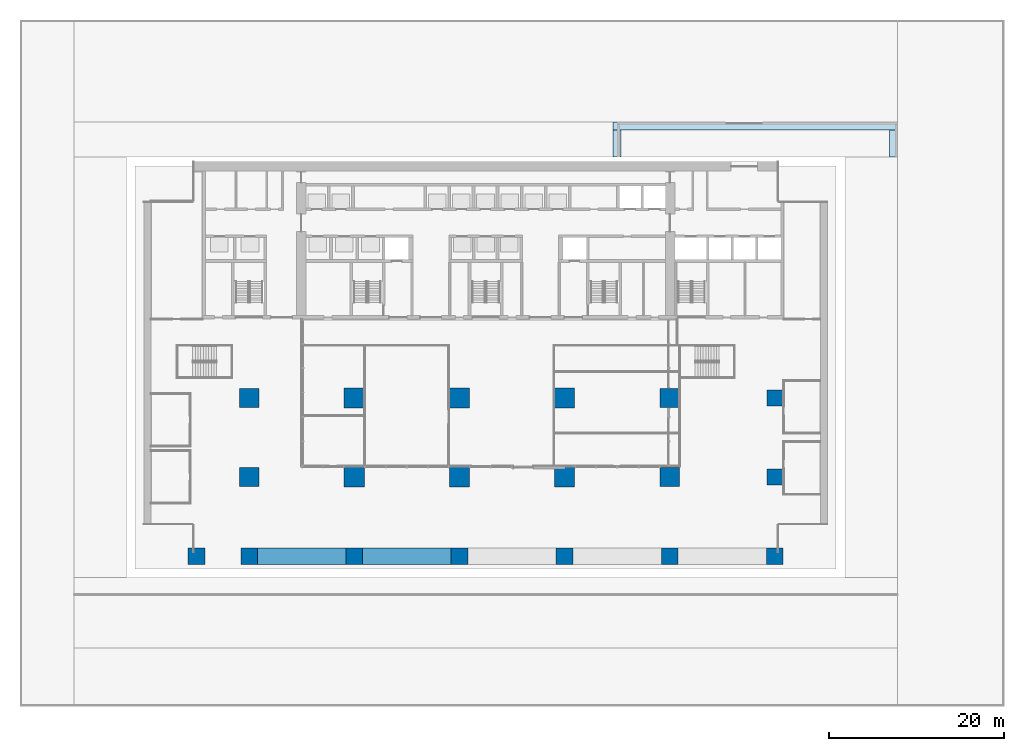
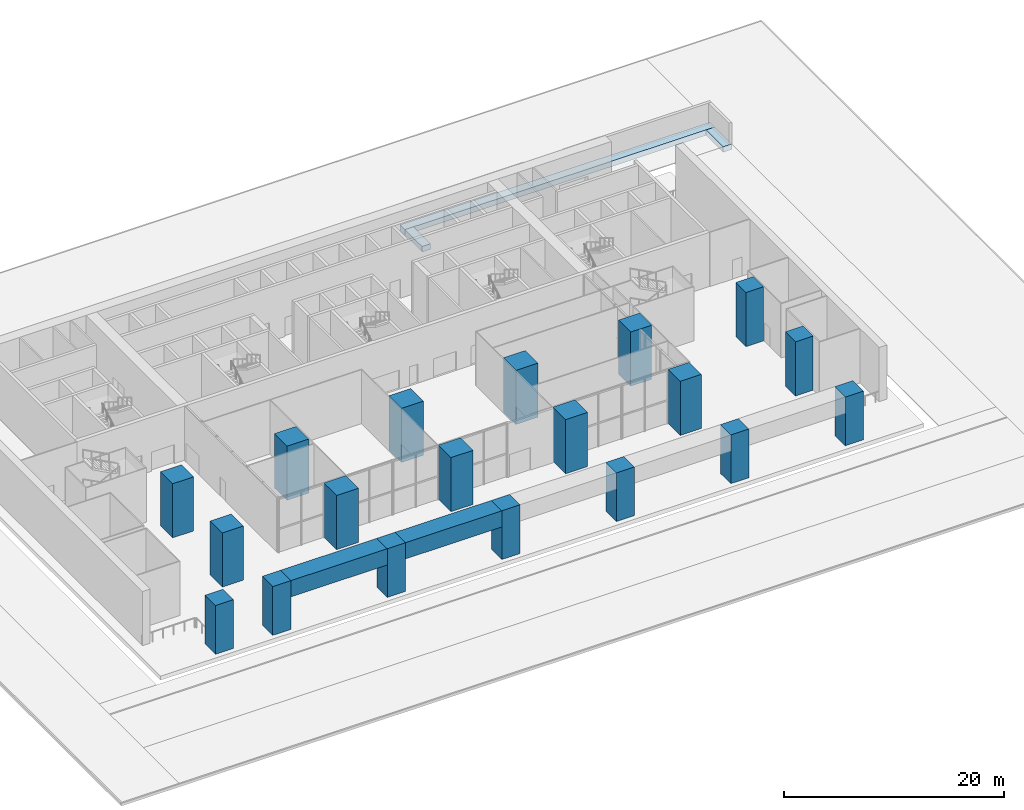
# One storey, part 1 of 16: 19 columns, 3 footings, 2 beams.
"""IFC4 building model written with IfcOpenShell, lengths in metres."""

from ifc_helpers import new_model, si_unit, direction, frame, origin, origin_2d, place, context, subcontext, project, spatial, rectangle, extrude, material, material_profile, profile_set, type_object, element, save


model = new_model("IFC4")

# Units and contexts
model_context = context("Model", 3, precision=1e-05, world=origin(), true_north=direction((0.0, 1.0)))
body_context = subcontext(model_context, "Body", "Model", "MODEL_VIEW")
ifc_project = project(units=[si_unit("LENGTHUNIT", "METRE"), si_unit("AREAUNIT", "SQUARE_METRE"), si_unit("VOLUMEUNIT", "CUBIC_METRE"), si_unit("PLANEANGLEUNIT", "RADIAN"), si_unit("MASSUNIT", "GRAM", prefix="KILO")], contexts=[model_context])

# Site, building, storey
site_placement = place(None, origin())
site = spatial("IfcSite", under=ifc_project, at=site_placement, CompositionType="ELEMENT")
building_placement = place(site_placement, origin())
building = spatial("IfcBuilding", under=site, at=building_placement, Name="Calvaro Tower", CompositionType="ELEMENT")
storey_placement = place(building_placement, origin())
storey = spatial("IfcBuildingStorey", under=building, at=storey_placement, Name="L00", CompositionType="ELEMENT", Elevation=0.0)

# Footings
ifc_material_1 = material(Name="Concrete C32/40", Category="concrete")
footing_type = type_object("IfcFootingType", Name="Yard wall strip footing 900 x 600", PredefinedType="STRIP_FOOTING", material=ifc_material_1)
footing_placement = place(storey_placement, frame((69.77490234375, 50.050048828125, -0.60009765625), z_axis=(0.0, 0.0, 1.0), x_axis=(1.0, 0.0, 0.0)))
element("IfcFooting", 1, at=footing_placement, inside=storey, type_object=footing_type, Name="Yard wall strip footing", PredefinedType="STRIP_FOOTING", context=body_context, shape_type="SweptSolid", body=[
    extrude(rectangle(XDim=32.449951171875, YDim=0.89990234375, at=origin_2d()), origin(), (0.0, 0.0, 1.0), 0.60009765625),
])
for number, where, z_axis, x_axis, name in (
    (2, (54.0, 48.050048828125, -0.60009765625), (0.0, 0.0, 1.0), (1.0, 0.0, 0.0), "Yard wall strip footing"),
    (3, (85.550048828125, 48.050048828125, -0.60009765625), (0.0, 0.0, 1.0), (1.0, 0.0, 0.0), "Yard wall strip footing"),
):
    element("IfcFooting", number, at=place(storey_placement, frame(where, z_axis=z_axis, x_axis=x_axis)), inside=storey, type_object=footing_type, Name=name, PredefinedType="STRIP_FOOTING", context=body_context, shape_type="SweptSolid", body=[
        extrude(rectangle(XDim=0.89990234375, YDim=3.10009765625, at=origin_2d()), origin(), (0.0, 0.0, 1.0), 0.60009765625),
    ])

# Columns
ifc_material_2 = material(Name="Concrete C80/95", Category="concrete")
ifc_material_profile_1 = material_profile(ifc_material_2, rectangle(XDim=1.85009765625, YDim=1.85009765625, at=origin_2d()), Name="RC 1850x1850")
ifc_profile_set_1 = profile_set([ifc_material_profile_1], Name="Concrete C80/95")
column_type_1 = type_object("IfcColumnType", Name="Mega-column 1850x1850 C80/95", PredefinedType="COLUMN", material=ifc_profile_set_1)
for number, where, z_axis, x_axis, name in (
    (4, (72.0, 10.0, 0.0), (0.0, 0.0, 1.0), (1.0, 0.0, 0.0), "Mega-column 13B"),
    (5, (72.0, 19.0, 0.0), (0.0, 0.0, 1.0), (1.0, 0.0, 0.0), "Mega-column 13C"),
):
    element("IfcColumn", number, at=place(storey_placement, frame(where, z_axis=z_axis, x_axis=x_axis)), inside=storey, type_object=column_type_1, Name=name, PredefinedType="COLUMN", context=body_context, shape_type="SweptSolid", body=[
        extrude(rectangle(XDim=1.85009765625, YDim=1.85009765625, at=origin_2d()), origin(), (0.0, 0.0, 1.0), 6.0),
    ])
ifc_material_3 = material(Name="Concrete C80/95", Category="concrete")
ifc_material_profile_2 = material_profile(ifc_material_3, rectangle(XDim=2.199951171875, YDim=2.199951171875, at=origin_2d()), Name="RC 2200x2200")
ifc_profile_set_2 = profile_set([ifc_material_profile_2], Name="Concrete C80/95")
column_type_2 = type_object("IfcColumnType", Name="Mega-column 2200x2200 C80/95", PredefinedType="COLUMN", material=ifc_profile_set_2)
for number, where, z_axis, x_axis, name in (
    (6, (12.0, 10.0, 0.0), (0.0, 0.0, 1.0), (1.0, 0.0, 0.0), "Mega-column 3B"),
    (7, (12.0, 19.0, 0.0), (0.0, 0.0, 1.0), (1.0, 0.0, 0.0), "Mega-column 3C"),
    (8, (60.0, 10.0, 0.0), (0.0, 0.0, 1.0), (1.0, 0.0, 0.0), "Mega-column 11B"),
    (9, (60.0, 19.0, 0.0), (0.0, 0.0, 1.0), (1.0, 0.0, 0.0), "Mega-column 11C"),
):
    element("IfcColumn", number, at=place(storey_placement, frame(where, z_axis=z_axis, x_axis=x_axis)), inside=storey, type_object=column_type_2, Name=name, PredefinedType="COLUMN", context=body_context, shape_type="SweptSolid", body=[
        extrude(rectangle(XDim=2.199951171875, YDim=2.199951171875, at=origin_2d()), origin(), (0.0, 0.0, 1.0), 6.0),
    ])
ifc_material_4 = material(Name="Concrete C80/95", Category="concrete")
ifc_material_profile_3 = material_profile(ifc_material_4, rectangle(XDim=2.300048828125, YDim=2.300048828125, at=origin_2d()), Name="RC 2300x2300")
ifc_profile_set_3 = profile_set([ifc_material_profile_3], Name="Concrete C80/95")
column_type_3 = type_object("IfcColumnType", Name="Mega-column 2300x2300 C80/95", PredefinedType="COLUMN", material=ifc_profile_set_3)
for number, where, z_axis, x_axis, name in (
    (10, (24.0, 10.0, 0.0), (0.0, 0.0, 1.0), (1.0, 0.0, 0.0), "Mega-column 5B"),
    (11, (24.0, 19.0, 0.0), (0.0, 0.0, 1.0), (1.0, 0.0, 0.0), "Mega-column 5C"),
    (12, (36.0, 10.0, 0.0), (0.0, 0.0, 1.0), (1.0, 0.0, 0.0), "Mega-column 7B"),
    (13, (36.0, 19.0, 0.0), (0.0, 0.0, 1.0), (1.0, 0.0, 0.0), "Mega-column 7C"),
    (14, (48.0, 10.0, 0.0), (0.0, 0.0, 1.0), (1.0, 0.0, 0.0), "Mega-column 9B"),
    (15, (48.0, 19.0, 0.0), (0.0, 0.0, 1.0), (1.0, 0.0, 0.0), "Mega-column 9C"),
):
    element("IfcColumn", number, at=place(storey_placement, frame(where, z_axis=z_axis, x_axis=x_axis)), inside=storey, type_object=column_type_3, Name=name, PredefinedType="COLUMN", context=body_context, shape_type="SweptSolid", body=[
        extrude(rectangle(XDim=2.300048828125, YDim=2.300048828125, at=origin_2d()), origin(), (0.0, 0.0, 1.0), 6.0),
    ])
ifc_material_5 = material(Name="Concrete C80/95", Category="concrete")
ifc_material_profile_4 = material_profile(ifc_material_5, rectangle(XDim=1.89990234375, YDim=1.89990234375, at=origin_2d()), Name="RC 1900x1900")
ifc_profile_set_4 = profile_set([ifc_material_profile_4], Name="Concrete C80/95")
column_type_4 = type_object("IfcColumnType", Name="Pier 1900x1900 C80/95", PredefinedType="COLUMN", material=ifc_profile_set_4)
for number, where, z_axis, x_axis, name in (
    (16, (6.0, 0.949951171875, 0.0), (0.0, 0.0, 1.0), (1.0, 0.0, 0.0), "South pier 2"),
    (17, (12.0, 0.949951171875, 0.0), (0.0, 0.0, 1.0), (1.0, 0.0, 0.0), "South pier 3"),
    (18, (24.0, 0.949951171875, 0.0), (0.0, 0.0, 1.0), (1.0, 0.0, 0.0), "South pier 5"),
    (19, (36.0, 0.949951171875, 0.0), (0.0, 0.0, 1.0), (1.0, 0.0, 0.0), "South pier 7"),
    (20, (48.0, 0.949951171875, 0.0), (0.0, 0.0, 1.0), (1.0, 0.0, 0.0), "South pier 9"),
    (21, (60.0, 0.949951171875, 0.0), (0.0, 0.0, 1.0), (1.0, 0.0, 0.0), "South pier 11"),
    (22, (72.0, 0.949951171875, 0.0), (0.0, 0.0, 1.0), (1.0, 0.0, 0.0), "South pier 13"),
):
    element("IfcColumn", number, at=place(storey_placement, frame(where, z_axis=z_axis, x_axis=x_axis)), inside=storey, type_object=column_type_4, Name=name, PredefinedType="COLUMN", context=body_context, shape_type="SweptSolid", body=[
        extrude(rectangle(XDim=1.89990234375, YDim=1.89990234375, at=origin_2d()), origin(), (0.0, 0.0, 1.0), 5.39990234375),
    ])

# Beams
ifc_material_6 = material(Name="Concrete C80/95", Category="concrete")
ifc_material_profile_5 = material_profile(ifc_material_6, rectangle(XDim=1.89990234375, YDim=1.800048828125, at=origin_2d()), Name="RC 1900x1800")
ifc_profile_set_5 = profile_set([ifc_material_profile_5], Name="Concrete C80/95")
beam_type = type_object("IfcBeamType", Name="Transfer girder 1900x1800 C80/95", PredefinedType="BEAM", material=ifc_profile_set_5)
for number, where, z_axis, x_axis, name in (
    (23, (12.949951171875, 0.949951171875, 4.5), (1.0, 0.0, 0.0), (0.0, 1.0, 0.0), "Transfer girder"),
    (24, (24.949951171875, 0.949951171875, 4.5), (1.0, 0.0, 0.0), (0.0, 1.0, 0.0), "Transfer girder"),
):
    element("IfcBeam", number, at=place(storey_placement, frame(where, z_axis=z_axis, x_axis=x_axis)), inside=storey, type_object=beam_type, Name=name, PredefinedType="BEAM", context=body_context, shape_type="SweptSolid", body=[
        extrude(rectangle(XDim=1.89990234375, YDim=1.800048828125, at=origin_2d()), origin(), (0.0, 0.0, 1.0), 10.10009765625),
    ])

save(model, "model.ifc")
